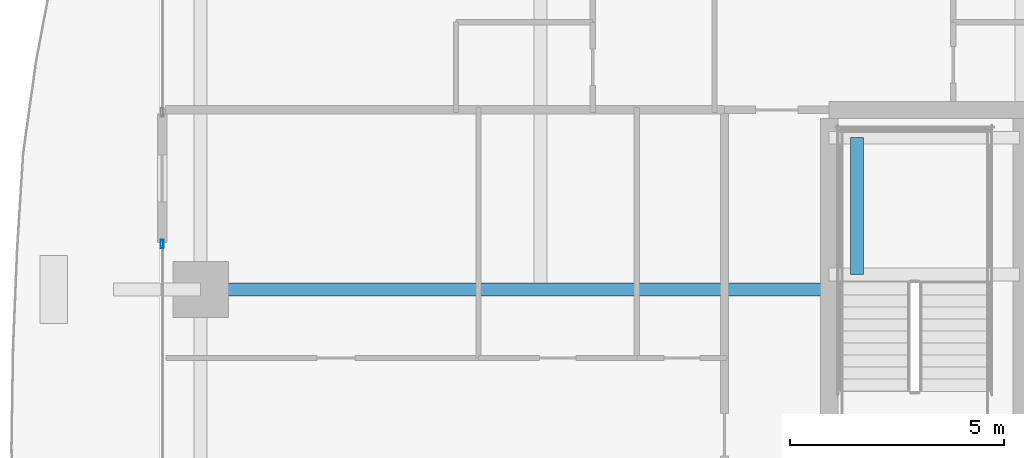
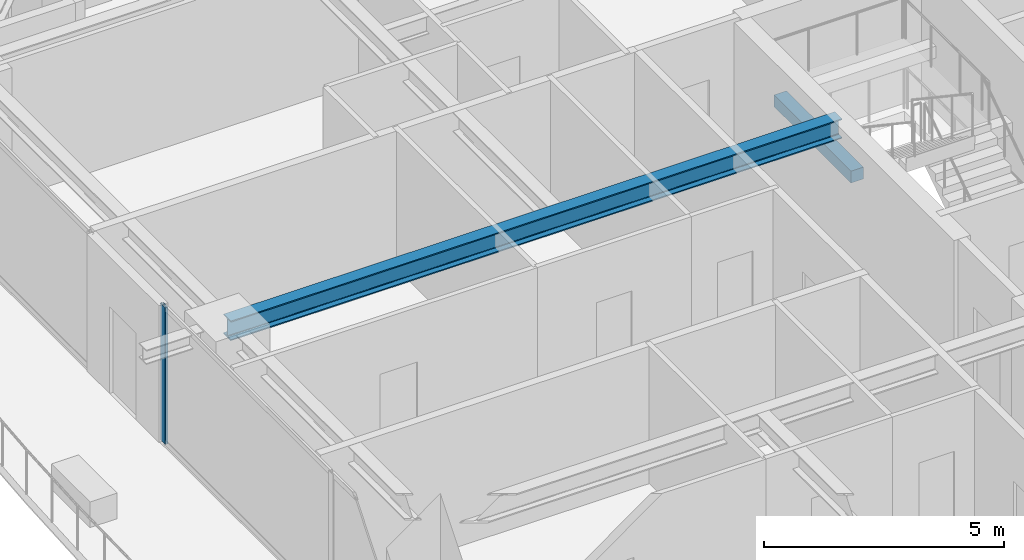
# One storey, part 10 of 37: 2 beams, 1 member, 1 element without a shape of its own.
"""IFC4 building model written with IfcOpenShell, lengths in metres."""

from ifc_helpers import new_model, si_unit, direction, frame, origin, origin_2d, place, context, subcontext, project, spatial, rectangle, hollow_rectangle, i_section, extrude, source, transform, mapped, material, layer, layer_set, material_profile, profile_set, type_object, element, aggregate, save


model = new_model("IFC4")

# Units and contexts
model_context = context("Model", 3, precision=1e-05, world=origin(), true_north=direction((0.0, 1.0)))
body_context = subcontext(model_context, "Body", "Model", "MODEL_VIEW")
ifc_project = project(units=[si_unit("LENGTHUNIT", "METRE"), si_unit("AREAUNIT", "SQUARE_METRE"), si_unit("VOLUMEUNIT", "CUBIC_METRE"), si_unit("PLANEANGLEUNIT", "RADIAN"), si_unit("MASSUNIT", "GRAM", prefix="KILO")], contexts=[model_context])

# Site, building, storey
site_placement = place(None, origin())
site = spatial("IfcSite", under=ifc_project, at=site_placement, CompositionType="ELEMENT")
building_placement = place(site_placement, origin())
building = spatial("IfcBuilding", under=site, at=building_placement, Name="Serunith Strait Residences", CompositionType="ELEMENT")
storey_placement = place(building_placement, frame((0.0, 0.0, 127.64990234375)))
storey = spatial("IfcBuildingStorey", under=building, at=storey_placement, Name="L31", CompositionType="ELEMENT", Elevation=127.64990234375)

# Beams
ifc_material_1 = material(Name="Steel S355J2", Category="steel")
ifc_material_profile_1 = material_profile(ifc_material_1, i_section(OverallWidth=0.300048828125, OverallDepth=0.5, WebThickness=0.014404296875, FlangeThickness=0.028076171875, FilletRadius=0.027099609375, at=origin_2d()), Name="HEB 500")
ifc_profile_set_1 = profile_set([ifc_material_profile_1], Name="Steel S355J2")
beam_type_1 = type_object("IfcBeamType", Name="BM-HEB500", PredefinedType="BEAM", material=ifc_profile_set_1)
shared_shape_1 = source(origin(), body_context, "Body", "SweptSolid", [
    extrude(i_section(OverallWidth=0.300048828125, OverallDepth=0.5, WebThickness=0.014404296875, FlangeThickness=0.028076171875, FilletRadius=0.027099609375, at=origin_2d()), origin(), (0.0, 0.0, 1.0), 14.699951171875),
])
beam_1_placement = place(storey_placement, frame((23.39990234375, 29.39990234375, 3.237060546875), z_axis=(-1.0, 0.0, 0.0), x_axis=(0.0, -1.0, 0.0)))
element("IfcBeam", 1, at=beam_1_placement, inside=storey, type_object=beam_type_1, Name="L31 Primary Floor Girder TC-W3", PredefinedType="BEAM", context=body_context, shape_type="MappedRepresentation", body=[
    mapped(shared_shape_1, transform((0.0, 0.0, 0.0), scale=1.0)),
])
ifc_material_2 = material(Name="Concrete C60/75", Category="concrete")
ifc_material_profile_2 = material_profile(ifc_material_2, rectangle(XDim=0.300048828125, YDim=0.300048828125, at=origin_2d()), Name="RC 300x300")
ifc_profile_set_2 = profile_set([ifc_material_profile_2], Name="Concrete C60/75")
beam_type_2 = type_object("IfcBeamType", Name="BM-LAND-300x300", PredefinedType="BEAM", material=ifc_profile_set_2)
shared_shape_2 = source(origin(), body_context, "Body", "SweptSolid", [
    extrude(rectangle(XDim=0.300048828125, YDim=0.300048828125, at=origin_2d()), origin(), (0.0, 0.0, 1.0), 3.199951171875),
])
beam_2_placement = place(storey_placement, frame((24.050048828125, 29.75, 1.525146484375), z_axis=(0.0, 1.0, 0.0), x_axis=(-1.0, 0.0, 0.0)))
element("IfcBeam", 2, at=beam_2_placement, inside=storey, type_object=beam_type_2, Name="L31 ST-1 Landing Transverse Tie Beam", PredefinedType="BEAM", context=body_context, shape_type="MappedRepresentation", body=[
    mapped(shared_shape_2, transform((0.0, 0.0, 0.0), scale=1.0)),
])

# Curtain wall, member
ifc_material_3 = material(Name="Pale-Champagne Anodised Aluminium", Category="aluminium")
ifc_layer = layer(ifc_material_3, 0.199951171875, Name="Pale-Champagne Anodised Aluminium")
ifc_layer_set = layer_set([ifc_layer], Name="Pale-Champagne Anodised Aluminium")
curtain_wall_type = type_object("IfcCurtainWallType", Name="CW-SYS2", PredefinedType="NOTDEFINED", material=ifc_layer_set)
curtain_wall_placement = place(storey_placement, origin())
curtain_wall = element("IfcCurtainWall", 3, at=curtain_wall_placement, inside=storey, type_object=curtain_wall_type, Name="L31 W Unitised Fritted Curtain Wall", PredefinedType="NOTDEFINED")
ifc_material_profile_3 = material_profile(ifc_material_3, hollow_rectangle(XDim=0.070068359375, YDim=0.199951171875, WallThickness=0.00390625, InnerFilletRadius=0.006103515625, OuterFilletRadius=0.010009765625, at=origin_2d()), Name="ALU 200x70x4")
ifc_profile_set_3 = profile_set([ifc_material_profile_3], Name="Pale-Champagne Anodised Aluminium")
member_type = type_object("IfcMemberType", Name="CW-SYS2-MULL", PredefinedType="MULLION", material=ifc_profile_set_3)
shared_shape_3 = source(origin(), body_context, "Body", "SweptSolid", [
    extrude(hollow_rectangle(XDim=0.070068359375, YDim=0.199951171875, WallThickness=0.00390625, InnerFilletRadius=0.006103515625, OuterFilletRadius=0.010009765625, at=origin_2d()), origin(), (0.0, 0.0, 1.0), 3.47509765625),
])
member_placement = place(storey_placement, frame((7.800048828125, 30.465087890625, 0.0), z_axis=(0.0, 0.0, 1.0), x_axis=(1.0, 0.0, 0.0)))
member = element("IfcMember", 4, at=member_placement, type_object=member_type, Name="CW-2 mullion 1", PredefinedType="MULLION", context=body_context, shape_type="MappedRepresentation", body=[
    mapped(shared_shape_3, transform((0.0, 0.0, 0.0), scale=1.0)),
])
aggregate(curtain_wall, [member])

save(model, "model.ifc")
